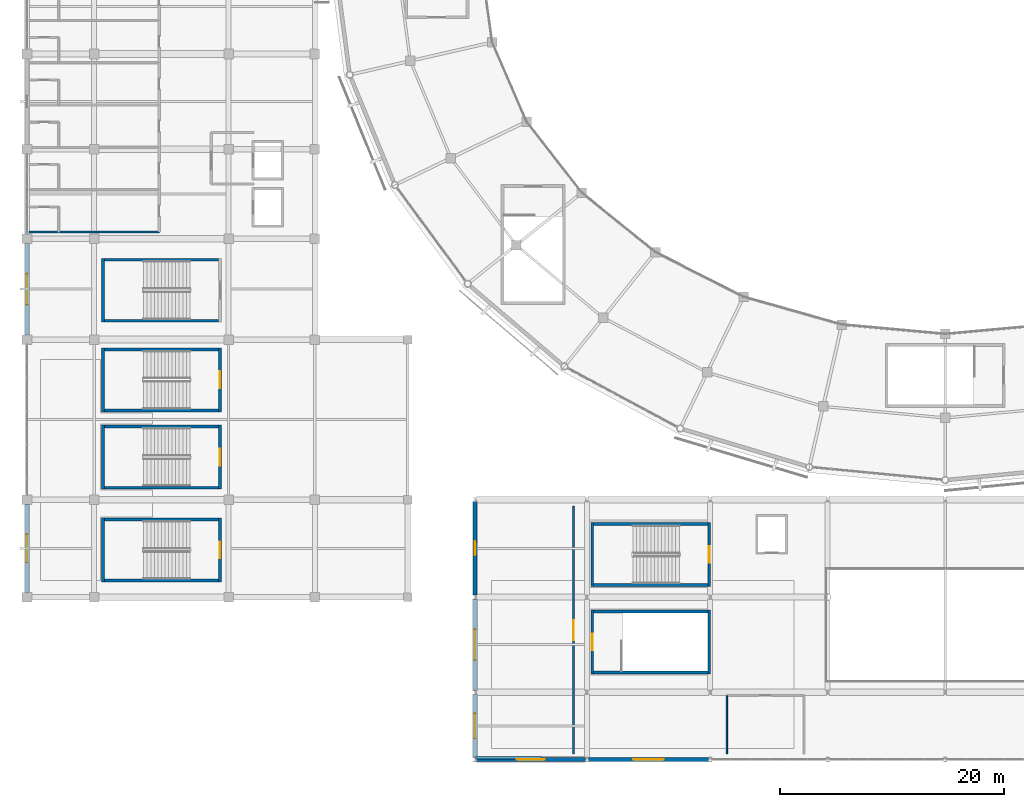
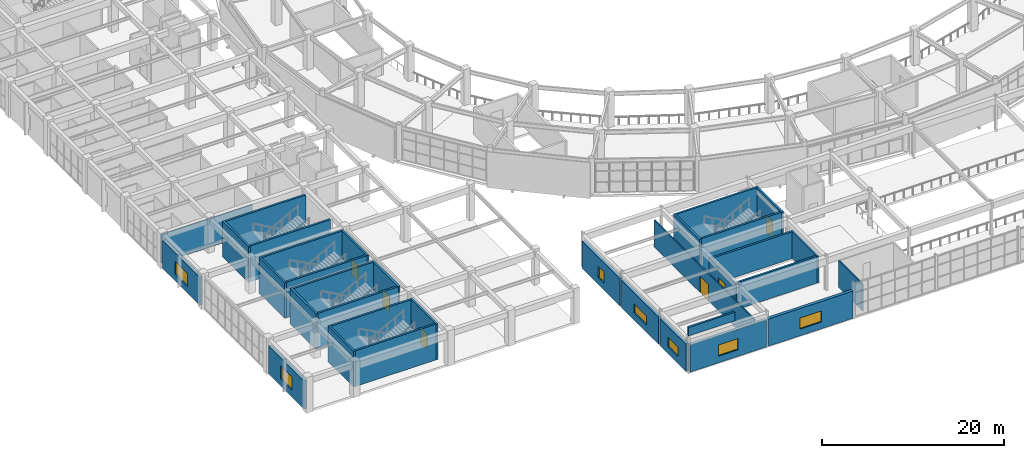
# One storey, part 79 of 112: 34 walls, 7 windows, 6 doors, 13 openings.
"""IFC4 building model written with IfcOpenShell, lengths in metres."""

import ifcopenshell
import ifcopenshell.guid

model = None  # the IFC model being written
_history = None  # IfcOwnerHistory: only IFC2X3 demands one
_inside = {}  # id of a spatial element -> (the spatial element, [elements in it])
_under = {}  # id of a project, library or spatial element -> (it, [spatial elements below it])
_declared = {}  # id of a project -> (the project, [libraries it declares])
_typed = {}  # id of a type object -> (the type object, [elements of that type])
_made_of = {}  # id of a material, layer set ... -> (it, [elements and type objects made of it])


def new_model(schema):
    """Start an empty IFC model of exactly this schema.

    Asked for "IFC4X3", IfcOpenShell would pick the latest addendum, in which some entities
    have other attributes; the version numbers below select the first issue.
    IFC2X3 requires an IfcOwnerHistory on every rooted entity: one is made here for all.
    """
    global model, _history
    if schema == "IFC4X3":
        model = ifcopenshell.file(schema_version=(4, 3, 0, 0))
    else:
        model = ifcopenshell.file(schema=schema)
    _inside.clear()
    _under.clear()
    _declared.clear()
    _typed.clear()
    _made_of.clear()
    _history = None
    if model.schema == "IFC2X3":
        org = make("IfcOrganization", Name="unknown")
        user = make(
            "IfcPersonAndOrganization",
            ThePerson=make("IfcPerson", FamilyName="unknown"),
            TheOrganization=org,
        )
        app = make(
            "IfcApplication",
            ApplicationDeveloper=org,
            Version="unknown",
            ApplicationFullName="unknown",
            ApplicationIdentifier="unknown",
        )
        _history = make(
            "IfcOwnerHistory",
            OwningUser=user,
            OwningApplication=app,
            ChangeAction="ADDED",
            CreationDate=0,
        )
    return model


def make(cls, **values):
    """One entity of the class cls with the attributes given. An attribute that is None is left unset."""
    return model.create_entity(
        cls, **{name: value for name, value in values.items() if value is not None}
    )


def rooted(cls, **values):
    """An entity with a GlobalId (a new one), such as an element, a storey or a relation."""
    return make(cls, GlobalId=ifcopenshell.guid.new(), OwnerHistory=_history, **values)


def si_unit(unit_type, name, prefix=None):
    """IfcSIUnit, for example si_unit("LENGTHUNIT", "METRE", prefix="MILLI")."""
    return make("IfcSIUnit", UnitType=unit_type, Prefix=prefix, Name=name)


def assignment(units):
    """IfcUnitAssignment: the units of a project."""
    return None if units is None else make("IfcUnitAssignment", Units=units)


def point(xyz):
    """IfcCartesianPoint."""
    return None if xyz is None else make("IfcCartesianPoint", Coordinates=xyz)


def direction(xyz):
    """IfcDirection."""
    return None if xyz is None else make("IfcDirection", DirectionRatios=xyz)


def frame(location, z_axis=None, x_axis=None):
    """IfcAxis2Placement3D, a coordinate frame: its origin and axes. An axis left out is left unset."""
    return make(
        "IfcAxis2Placement3D",
        Location=point(location),
        Axis=direction(z_axis),
        RefDirection=direction(x_axis),
    )


def frame_2d(location, x_axis=None):
    """IfcAxis2Placement2D, a coordinate frame in the plane: its origin and x axis."""
    return make(
        "IfcAxis2Placement2D", Location=point(location), RefDirection=direction(x_axis)
    )


def origin():
    """The frame at (0, 0, 0) with its axes left unset."""
    return frame((0.0, 0.0, 0.0))


def place(relative_to, where):
    """IfcLocalPlacement: puts the frame where relative to a parent placement (None: the world)."""
    return make(
        "IfcLocalPlacement", PlacementRelTo=relative_to, RelativePlacement=where
    )


def context(
    kind, dimensions, precision=None, world=None, true_north=None, identifier=None
):
    """IfcGeometricRepresentationContext, for example the 3D "Model" context."""
    return make(
        "IfcGeometricRepresentationContext",
        ContextIdentifier=identifier,
        ContextType=kind,
        CoordinateSpaceDimension=dimensions,
        Precision=precision,
        WorldCoordinateSystem=world,
        TrueNorth=true_north,
    )


def subcontext(parent, identifier, kind, view, scale=None):
    """IfcGeometricRepresentationSubContext, for example "Body" below "Model"."""
    return make(
        "IfcGeometricRepresentationSubContext",
        ContextIdentifier=identifier,
        ContextType=kind,
        ParentContext=parent,
        TargetScale=scale,
        TargetView=view,
    )


def project(units=None, contexts=None):
    """IfcProject with its units and contexts."""
    return rooted(
        "IfcProject",
        Name="project",
        RepresentationContexts=contexts,
        UnitsInContext=assignment(units),
    )


def spatial(cls, under=None, at=None, **own):
    """A site, building, storey or space (cls), placed at a placement, below another one or the project."""
    s = rooted(cls, ObjectPlacement=at, **own)
    if under is not None:
        _under.setdefault(under.id(), (under, []))[1].append(s)
    return s


def profile(cls, at=None, kind="AREA", **sizes):
    """A parametric profile (cls). Its sizes go by their IFC names, for example OverallWidth=200.0."""
    return make(cls, ProfileType=kind, Position=at, **sizes)


def rectangle(**sizes):
    """IfcRectangleProfileDef."""
    return profile("IfcRectangleProfileDef", **sizes)


def extrude(swept, where, along, depth):
    """IfcExtrudedAreaSolid: the profile swept, set in the frame where, extruded along a direction by depth."""
    return make(
        "IfcExtrudedAreaSolid",
        SweptArea=swept,
        Position=where,
        ExtrudedDirection=direction(along),
        Depth=depth,
    )


def shape(context_of_items, identifier, shape_type, items):
    """IfcShapeRepresentation: the items that make up one representation, for example the "Body"."""
    return make(
        "IfcShapeRepresentation",
        ContextOfItems=context_of_items,
        RepresentationIdentifier=identifier,
        RepresentationType=shape_type,
        Items=items,
    )


def material(Name=None, Category=None):
    """IfcMaterial."""
    return make("IfcMaterial", Name=Name, Category=Category)


def layer(
    of_material, thickness, ventilated=None, Name=None, Category=None, Priority=None
):
    """IfcMaterialLayer: one layer of a wall or slab, of a material (None: an air gap)."""
    return make(
        "IfcMaterialLayer",
        Material=of_material,
        LayerThickness=thickness,
        IsVentilated=ventilated,
        Name=Name,
        Category=Category,
        Priority=Priority,
    )


def layer_set(layers, Name=None):
    """IfcMaterialLayerSet."""
    return make("IfcMaterialLayerSet", MaterialLayers=layers, LayerSetName=Name)


def made_of(thing, what):
    """Note that an element or type object is made of a material, layer set ...; save() writes the relation."""
    if what is not None:
        _made_of.setdefault(what.id(), (what, []))[1].append(thing)
    return thing


def type_object(cls, material=None, **own):
    """A type object (cls), such as IfcWallType, which elements share."""
    return made_of(rooted(cls, **own), material)


def element(
    cls,
    number,
    at=None,
    inside=None,
    cuts=None,
    type_object=None,
    material=None,
    context=None,
    identifier="Body",
    shape_type=None,
    held_by="IfcProductDefinitionShape",
    body=None,
    shapes=None,
    **own,
):
    """One element of the class cls, such as IfcWall. Its Tag is "e" and its number.

    at: its placement. inside: the storey or other place that contains it. cuts: it is an
    opening in that element (IfcRelVoidsElement). A single representation is given by context,
    identifier, shape_type and body (its items); several are given by shapes. held_by: the class
    of the entity that holds the representations. save() writes the other relations.
    """
    e = rooted(cls, Tag="e%d" % number, ObjectPlacement=at, **own)
    if body is not None:
        shapes = [shape(context, identifier, shape_type, body)]
    if shapes is not None:
        e.Representation = make(held_by, Representations=shapes)
    if inside is not None:
        _inside.setdefault(inside.id(), (inside, []))[1].append(e)
    if cuts is not None:
        rooted(
            "IfcRelVoidsElement", RelatingBuildingElement=cuts, RelatedOpeningElement=e
        )
    if type_object is not None:
        _typed.setdefault(type_object.id(), (type_object, []))[1].append(e)
    return made_of(e, material)


def fill(opening, filler):
    """IfcRelFillsElement: the door or window that sits in an opening."""
    return rooted(
        "IfcRelFillsElement",
        RelatingOpeningElement=opening,
        RelatedBuildingElement=filler,
    )


def aggregate(whole, parts):
    """IfcRelAggregates: a whole, such as a stair, and the parts it consists of."""
    return rooted("IfcRelAggregates", RelatingObject=whole, RelatedObjects=parts)


def save(model, path):
    """Write the relations noted so far, then the file.

    IfcRelAggregates (storeys below a building ...), IfcRelContainedInSpatialStructure (elements
    in a storey), IfcRelDefinesByType, IfcRelAssociatesMaterial and IfcRelDeclares: one each for
    every whole, place, type object, material and project.
    """
    for whole, parts in _under.values():
        aggregate(whole, parts)
    for where, things in _inside.values():
        rooted(
            "IfcRelContainedInSpatialStructure",
            RelatedElements=things,
            RelatingStructure=where,
        )
    for kind, things in _typed.values():
        rooted("IfcRelDefinesByType", RelatedObjects=things, RelatingType=kind)
    for what, things in _made_of.values():
        rooted("IfcRelAssociatesMaterial", RelatedObjects=things, RelatingMaterial=what)
    for by, libraries in _declared.values():
        rooted("IfcRelDeclares", RelatingContext=by, RelatedDefinitions=libraries)
    model.write(path)


model = new_model("IFC4")

# Units and contexts
model_context = context("Model", 3, precision=1e-05, world=origin(), true_north=direction((0.0, 1.0)))
body_context = subcontext(model_context, "Body", "Model", "MODEL_VIEW")
ifc_project = project(units=[si_unit("LENGTHUNIT", "METRE"), si_unit("AREAUNIT", "SQUARE_METRE"), si_unit("VOLUMEUNIT", "CUBIC_METRE"), si_unit("PLANEANGLEUNIT", "RADIAN"), si_unit("MASSUNIT", "GRAM", prefix="KILO")], contexts=[model_context])

# Site, building, storey
site_placement = place(None, origin())
site = spatial("IfcSite", under=ifc_project, at=site_placement, CompositionType="ELEMENT")
building_placement = place(site_placement, origin())
building = spatial("IfcBuilding", under=site, at=building_placement, Name="Cuetzalor Civic Arena", CompositionType="ELEMENT")
storey_placement = place(building_placement, frame((0.0, 0.0, 11.39990234375)))
storey = spatial("IfcBuildingStorey", under=building, at=storey_placement, Name="L02", CompositionType="ELEMENT", Elevation=11.39990234375)

# Wall, opening, door
ifc_material_1 = material(Name="Acoustic steel-stud gypsum partition", Category="steel")
ifc_layer_1 = layer(ifc_material_1, 0.14990234375)
ifc_layer_set_1 = layer_set([ifc_layer_1], Name="Acoustic steel-stud gypsum partition")
wall_type_1 = type_object("IfcWallType", Name="AcousticGypsumPartition_150", PredefinedType="PARTITIONING", material=ifc_layer_set_1)
wall_1_placement = place(storey_placement, frame((-33.199951171875, -48.89990234375, 0.0), z_axis=(0.0, 0.0, 1.0), x_axis=(0.0, -1.0, 0.0)))
wall_1 = element("IfcWall", 1, at=wall_1_placement, inside=storey, type_object=wall_type_1, Name="Interior Partition IWALL:L02:0260", PredefinedType="PARTITIONING", context=body_context, shape_type="SweptSolid", body=[
    extrude(rectangle(XDim=22.10009765625, YDim=0.14990234375, at=frame_2d((11.050048828125, 0.0))), origin(), (0.0, 0.0, 1.0), 3.64501953125),
])
opening_1_placement = place(wall_1_placement, frame((10.14990234375, 0.0, 0.0)))
opening_1 = element("IfcOpeningElement", 2, at=opening_1_placement, cuts=wall_1, Name="Opening ID-06", PredefinedType="OPENING", context=body_context, shape_type="SweptSolid", body=[
    extrude(rectangle(XDim=1.800048828125, YDim=2.199951171875, at=frame_2d((0.89990234375, 1.10009765625))), frame((0.0, 0.0849609375, 0.0), z_axis=(0.0, -1.0, 0.0), x_axis=(1.0, 0.0, 0.0)), (0.0, 0.0, 1.0), 0.169921875),
])
ifc_material_2 = material(Name="Glazed bronze acoustic double door", Category="metal")
door_type_1 = type_object("IfcDoorType", Name="PublicDoubleDoor_1800x2200", OperationType="DOUBLE_DOOR_SINGLE_SWING", PredefinedType="DOOR", material=ifc_material_2)
door_1_placement = place(opening_1_placement, origin())
door_1 = element("IfcDoor", 3, at=door_1_placement, inside=storey, type_object=door_type_1, Name="Door to Sponsors Dining Hall West", OperationType="DOUBLE_DOOR_SINGLE_SWING", OverallHeight=2.199951171875, OverallWidth=1.800048828125, PredefinedType="DOOR", context=body_context, shape_type="SweptSolid", body=[
    extrude(rectangle(XDim=1.800048828125, YDim=2.199951171875, at=frame_2d((0.89990234375, 1.10009765625))), frame((0.0, 0.02490234375, 0.0), z_axis=(0.0, -1.0, 0.0), x_axis=(1.0, 0.0, 0.0)), (0.0, 0.0, 1.0), 0.050048828125),
])
fill(opening_1, door_1)

# Walls
wall_2_placement = place(storey_placement, frame((-19.5, -71.0, 0.0), z_axis=(0.0, 0.0, 1.0), x_axis=(0.0, 1.0, 0.0)))
element("IfcWall", 4, at=wall_2_placement, inside=storey, type_object=wall_type_1, Name="Interior Partition IWALL:L02:0264", PredefinedType="PARTITIONING", context=body_context, shape_type="SweptSolid", body=[
    extrude(rectangle(XDim=5.199951171875, YDim=0.14990234375, at=frame_2d((2.60009765625, 0.0))), origin(), (0.0, 0.0, 1.0), 3.64501953125),
])
wall_3_placement = place(storey_placement, frame((-81.820068359375, -24.39990234375, 0.0), z_axis=(0.0, 0.0, 1.0), x_axis=(1.0, 0.0, 0.0)))
element("IfcWall", 5, at=wall_3_placement, inside=storey, type_object=wall_type_1, Name="Interior Partition IWALL:L02:0268", PredefinedType="PARTITIONING", context=body_context, shape_type="SweptSolid", body=[
    extrude(rectangle(XDim=11.6201171875, YDim=0.14990234375, at=frame_2d((5.81005859375, 0.0))), origin(), (0.0, 0.0, 1.0), 3.84521484375),
])
ifc_material_3 = material(Name="Puebla cantera gris stone parapet Concrete C35/45", Category="masonry")
ifc_layer_2 = layer(ifc_material_3, 0.239990234375)
ifc_layer_set_2 = layer_set([ifc_layer_2], Name="Puebla cantera gris stone parapet Concrete C35/45")
wall_type_2 = type_object("IfcWallType", Name="CanteraRoofParapet_240", PredefinedType="PARAPET", material=ifc_layer_set_2)
wall_4_placement = place(storey_placement, frame((-41.949951171875, -71.35009765625, 4.75), z_axis=(0.0, 0.0, 1.0), x_axis=(1.0, 0.0, 0.0)))
element("IfcWall", 6, at=wall_4_placement, inside=storey, type_object=wall_type_2, Name="Roof Parapet 07 L02-255", PredefinedType="PARAPET", context=body_context, shape_type="SweptSolid", body=[
    extrude(rectangle(XDim=5.89990234375, YDim=0.239990234375, at=frame_2d((2.949951171875, 0.0))), origin(), (0.0, 0.0, 1.0), 1.150146484375),
])

# Wall, opening, door
ifc_material_4 = material(Name="Concrete C40/50", Category="concrete")
ifc_layer_3 = layer(ifc_material_4, 0.25)
ifc_layer_set_3 = layer_set([ifc_layer_3], Name="Concrete C40/50")
wall_type_3 = type_object("IfcWallType", Name="ConcreteCoreShearWall_250", PredefinedType="SHEAR", material=ifc_layer_set_3)
wall_5_placement = place(storey_placement, frame((-31.52490234375, -63.85009765625, 0.0), z_axis=(0.0, 0.0, 1.0), x_axis=(0.0, 1.0, 0.0)))
wall_5 = element("IfcWall", 7, at=wall_5_placement, inside=storey, type_object=wall_type_3, Name="Stair Core Shear Wall ST-09-L02-W", PredefinedType="SHEAR", context=body_context, shape_type="SweptSolid", body=[
    extrude(rectangle(XDim=5.7001953125, YDim=0.25, at=frame_2d((2.85009765625, 0.0))), origin(), (0.0, 0.0, 1.0), 3.60009765625),
])
opening_2_placement = place(wall_5_placement, frame((2.10009765625, 0.0, 0.0)))
opening_2 = element("IfcOpeningElement", 8, at=opening_2_placement, cuts=wall_5, Name="Opening FD-03", PredefinedType="OPENING", context=body_context, shape_type="SweptSolid", body=[
    extrude(rectangle(XDim=1.5, YDim=2.199951171875, at=frame_2d((0.75, 1.10009765625))), frame((0.0, 0.135009765625, 0.0), z_axis=(0.0, -1.0, 0.0), x_axis=(1.0, 0.0, 0.0)), (0.0, 0.0, 1.0), 0.27001953125),
])
ifc_material_5 = material(Name="Fire-rated steel stair exit double door", Category="steel")
door_type_2 = type_object("IfcDoorType", Name="StairFireDoubleDoor_1500x2200", OperationType="DOUBLE_DOOR_SINGLE_SWING", PredefinedType="DOOR", material=ifc_material_5)
door_2_placement = place(opening_2_placement, origin())
door_2 = element("IfcDoor", 9, at=door_2_placement, inside=storey, type_object=door_type_2, Name="Fire Stair Door ST-09 L02", OperationType="DOUBLE_DOOR_SINGLE_SWING", OverallHeight=2.199951171875, OverallWidth=1.5, PredefinedType="DOOR", context=body_context, shape_type="SweptSolid", body=[
    extrude(rectangle(XDim=1.5, YDim=2.199951171875, at=frame_2d((0.75, 1.10009765625))), frame((0.0, 0.02490234375, 0.0), z_axis=(0.0, -1.0, 0.0), x_axis=(1.0, 0.0, 0.0)), (0.0, 0.0, 1.0), 0.050048828125),
])
fill(opening_2, door_2)

# Walls
wall_6_placement = place(storey_placement, frame((-31.39990234375, -58.27490234375, 0.0), z_axis=(0.0, 0.0, 1.0), x_axis=(1.0, 0.0, 0.0)))
element("IfcWall", 10, at=wall_6_placement, inside=storey, type_object=wall_type_3, Name="Stair Core Shear Wall ST-09-L02-N", PredefinedType="SHEAR", context=body_context, shape_type="SweptSolid", body=[
    extrude(rectangle(XDim=10.199951171875, YDim=0.25, at=frame_2d((5.10009765625, 0.0))), origin(), (0.0, 0.0, 1.0), 3.60009765625),
])
wall_7_placement = place(storey_placement, frame((-21.074951171875, -58.14990234375, 0.0), z_axis=(0.0, 0.0, 1.0), x_axis=(0.0, -1.0, 0.0)))
element("IfcWall", 11, at=wall_7_placement, inside=storey, type_object=wall_type_3, Name="Stair Core Shear Wall ST-09-L02-E", PredefinedType="SHEAR", context=body_context, shape_type="SweptSolid", body=[
    extrude(rectangle(XDim=5.7001953125, YDim=0.25, at=frame_2d((2.85009765625, 0.0))), origin(), (0.0, 0.0, 1.0), 3.60009765625),
])
wall_8_placement = place(storey_placement, frame((-21.199951171875, -63.72509765625, 0.0), z_axis=(0.0, 0.0, 1.0), x_axis=(-1.0, 0.0, 0.0)))
element("IfcWall", 12, at=wall_8_placement, inside=storey, type_object=wall_type_3, Name="Stair Core Shear Wall ST-09-L02-S", PredefinedType="SHEAR", context=body_context, shape_type="SweptSolid", body=[
    extrude(rectangle(XDim=10.199951171875, YDim=0.25, at=frame_2d((5.10009765625, 0.0))), origin(), (0.0, 0.0, 1.0), 3.60009765625),
])
wall_9_placement = place(storey_placement, frame((-31.52490234375, -56.050048828125, 0.0), z_axis=(0.0, 0.0, 1.0), x_axis=(0.0, 1.0, 0.0)))
element("IfcWall", 13, at=wall_9_placement, inside=storey, type_object=wall_type_3, Name="Stair Core Shear Wall ST-10-L02-W", PredefinedType="SHEAR", context=body_context, shape_type="SweptSolid", body=[
    extrude(rectangle(XDim=5.699951171875, YDim=0.25, at=frame_2d((2.85009765625, 0.0))), origin(), (0.0, 0.0, 1.0), 4.800048828125),
])
wall_10_placement = place(storey_placement, frame((-31.39990234375, -50.47509765625, 0.0), z_axis=(0.0, 0.0, 1.0), x_axis=(1.0, 0.0, 0.0)))
element("IfcWall", 14, at=wall_10_placement, inside=storey, type_object=wall_type_3, Name="Stair Core Shear Wall ST-10-L02-N", PredefinedType="SHEAR", context=body_context, shape_type="SweptSolid", body=[
    extrude(rectangle(XDim=10.199951171875, YDim=0.25, at=frame_2d((5.10009765625, 0.0))), origin(), (0.0, 0.0, 1.0), 4.800048828125),
])

# Wall, opening, door
wall_11_placement = place(storey_placement, frame((-21.074951171875, -50.35009765625, 0.0), z_axis=(0.0, 0.0, 1.0), x_axis=(0.0, -1.0, 0.0)))
wall_11 = element("IfcWall", 15, at=wall_11_placement, inside=storey, type_object=wall_type_3, Name="Stair Core Shear Wall ST-10-L02-E", PredefinedType="SHEAR", context=body_context, shape_type="SweptSolid", body=[
    extrude(rectangle(XDim=5.699951171875, YDim=0.25, at=frame_2d((2.85009765625, 0.0))), origin(), (0.0, 0.0, 1.0), 4.800048828125),
])
opening_3_placement = place(wall_11_placement, frame((2.10009765625, 0.0, 0.0)))
opening_3 = element("IfcOpeningElement", 16, at=opening_3_placement, cuts=wall_11, Name="Opening FD-03", PredefinedType="OPENING", context=body_context, shape_type="SweptSolid", body=[
    extrude(rectangle(XDim=1.5, YDim=2.199951171875, at=frame_2d((0.75, 1.10009765625))), frame((0.0, 0.135009765625, 0.0), z_axis=(0.0, -1.0, 0.0), x_axis=(1.0, 0.0, 0.0)), (0.0, 0.0, 1.0), 0.27001953125),
])
door_3_placement = place(opening_3_placement, origin())
door_3 = element("IfcDoor", 17, at=door_3_placement, inside=storey, type_object=door_type_2, Name="Fire Stair Door ST-10 L02", OperationType="DOUBLE_DOOR_SINGLE_SWING", OverallHeight=2.199951171875, OverallWidth=1.5, PredefinedType="DOOR", context=body_context, shape_type="SweptSolid", body=[
    extrude(rectangle(XDim=1.5, YDim=2.199951171875, at=frame_2d((0.75, 1.10009765625))), frame((0.0, 0.02490234375, 0.0), z_axis=(0.0, -1.0, 0.0), x_axis=(1.0, 0.0, 0.0)), (0.0, 0.0, 1.0), 0.050048828125),
])
fill(opening_3, door_3)

# Walls
wall_12_placement = place(storey_placement, frame((-21.199951171875, -55.925048828125, 0.0), z_axis=(0.0, 0.0, 1.0), x_axis=(-1.0, 0.0, 0.0)))
element("IfcWall", 18, at=wall_12_placement, inside=storey, type_object=wall_type_3, Name="Stair Core Shear Wall ST-10-L02-S", PredefinedType="SHEAR", context=body_context, shape_type="SweptSolid", body=[
    extrude(rectangle(XDim=10.199951171875, YDim=0.25, at=frame_2d((5.10009765625, 0.0))), origin(), (0.0, 0.0, 1.0), 4.800048828125),
])
wall_13_placement = place(storey_placement, frame((-75.22509765625, -55.64990234375, 0.0), z_axis=(0.0, 0.0, 1.0), x_axis=(0.0, 1.0, 0.0)))
element("IfcWall", 19, at=wall_13_placement, inside=storey, type_object=wall_type_3, Name="Stair Core Shear Wall ST-13-L02-W", PredefinedType="SHEAR", context=body_context, shape_type="SweptSolid", body=[
    extrude(rectangle(XDim=5.699951171875, YDim=0.25, at=frame_2d((2.85009765625, 0.0))), origin(), (0.0, 0.0, 1.0), 4.800048828125),
])
wall_14_placement = place(storey_placement, frame((-75.10009765625, -50.074951171875, 0.0), z_axis=(0.0, 0.0, 1.0), x_axis=(1.0, 0.0, 0.0)))
element("IfcWall", 20, at=wall_14_placement, inside=storey, type_object=wall_type_3, Name="Stair Core Shear Wall ST-13-L02-N", PredefinedType="SHEAR", context=body_context, shape_type="SweptSolid", body=[
    extrude(rectangle(XDim=10.2001953125, YDim=0.25, at=frame_2d((5.10009765625, 0.0))), origin(), (0.0, 0.0, 1.0), 4.800048828125),
])

# Wall, opening, door
wall_15_placement = place(storey_placement, frame((-64.77490234375, -49.949951171875, 0.0), z_axis=(0.0, 0.0, 1.0), x_axis=(0.0, -1.0, 0.0)))
wall_15 = element("IfcWall", 21, at=wall_15_placement, inside=storey, type_object=wall_type_3, Name="Stair Core Shear Wall ST-13-L02-E", PredefinedType="SHEAR", context=body_context, shape_type="SweptSolid", body=[
    extrude(rectangle(XDim=5.699951171875, YDim=0.25, at=frame_2d((2.85009765625, 0.0))), origin(), (0.0, 0.0, 1.0), 4.800048828125),
])
opening_4_placement = place(wall_15_placement, frame((2.10009765625, 0.0, 0.0)))
opening_4 = element("IfcOpeningElement", 22, at=opening_4_placement, cuts=wall_15, Name="Opening FD-03", PredefinedType="OPENING", context=body_context, shape_type="SweptSolid", body=[
    extrude(rectangle(XDim=1.5, YDim=2.199951171875, at=frame_2d((0.75, 1.10009765625))), frame((0.0, 0.135009765625, 0.0), z_axis=(0.0, -1.0, 0.0), x_axis=(1.0, 0.0, 0.0)), (0.0, 0.0, 1.0), 0.27001953125),
])
door_4_placement = place(opening_4_placement, origin())
door_4 = element("IfcDoor", 23, at=door_4_placement, inside=storey, type_object=door_type_2, Name="Fire Stair Door ST-13 L02", OperationType="DOUBLE_DOOR_SINGLE_SWING", OverallHeight=2.199951171875, OverallWidth=1.5, PredefinedType="DOOR", context=body_context, shape_type="SweptSolid", body=[
    extrude(rectangle(XDim=1.5, YDim=2.199951171875, at=frame_2d((0.75, 1.10009765625))), frame((0.0, 0.02490234375, 0.0), z_axis=(0.0, -1.0, 0.0), x_axis=(1.0, 0.0, 0.0)), (0.0, 0.0, 1.0), 0.050048828125),
])
fill(opening_4, door_4)

# Walls
wall_16_placement = place(storey_placement, frame((-64.89990234375, -55.52490234375, 0.0), z_axis=(0.0, 0.0, 1.0), x_axis=(-1.0, 0.0, 0.0)))
element("IfcWall", 24, at=wall_16_placement, inside=storey, type_object=wall_type_3, Name="Stair Core Shear Wall ST-13-L02-S", PredefinedType="SHEAR", context=body_context, shape_type="SweptSolid", body=[
    extrude(rectangle(XDim=10.2001953125, YDim=0.25, at=frame_2d((5.10009765625, 0.0))), origin(), (0.0, 0.0, 1.0), 4.800048828125),
])
wall_17_placement = place(storey_placement, frame((-75.22509765625, -47.35009765625, 0.0), z_axis=(0.0, 0.0, 1.0), x_axis=(0.0, 1.0, 0.0)))
element("IfcWall", 25, at=wall_17_placement, inside=storey, type_object=wall_type_3, Name="Stair Core Shear Wall ST-14-L02-W", PredefinedType="SHEAR", context=body_context, shape_type="SweptSolid", body=[
    extrude(rectangle(XDim=5.7001953125, YDim=0.25, at=frame_2d((2.85009765625, 0.0))), origin(), (0.0, 0.0, 1.0), 4.800048828125),
])
wall_18_placement = place(storey_placement, frame((-75.10009765625, -41.77490234375, 0.0), z_axis=(0.0, 0.0, 1.0), x_axis=(1.0, 0.0, 0.0)))
element("IfcWall", 26, at=wall_18_placement, inside=storey, type_object=wall_type_3, Name="Stair Core Shear Wall ST-14-L02-N", PredefinedType="SHEAR", context=body_context, shape_type="SweptSolid", body=[
    extrude(rectangle(XDim=10.2001953125, YDim=0.25, at=frame_2d((5.10009765625, 0.0))), origin(), (0.0, 0.0, 1.0), 4.800048828125),
])

# Wall, opening, door
wall_19_placement = place(storey_placement, frame((-64.77490234375, -41.64990234375, 0.0), z_axis=(0.0, 0.0, 1.0), x_axis=(0.0, -1.0, 0.0)))
wall_19 = element("IfcWall", 27, at=wall_19_placement, inside=storey, type_object=wall_type_3, Name="Stair Core Shear Wall ST-14-L02-E", PredefinedType="SHEAR", context=body_context, shape_type="SweptSolid", body=[
    extrude(rectangle(XDim=5.7001953125, YDim=0.25, at=frame_2d((2.85009765625, 0.0))), origin(), (0.0, 0.0, 1.0), 4.800048828125),
])
opening_5_placement = place(wall_19_placement, frame((2.10009765625, 0.0, 0.0)))
opening_5 = element("IfcOpeningElement", 28, at=opening_5_placement, cuts=wall_19, Name="Opening FD-03", PredefinedType="OPENING", context=body_context, shape_type="SweptSolid", body=[
    extrude(rectangle(XDim=1.5, YDim=2.199951171875, at=frame_2d((0.75, 1.10009765625))), frame((0.0, 0.135009765625, 0.0), z_axis=(0.0, -1.0, 0.0), x_axis=(1.0, 0.0, 0.0)), (0.0, 0.0, 1.0), 0.27001953125),
])
door_5_placement = place(opening_5_placement, origin())
door_5 = element("IfcDoor", 29, at=door_5_placement, inside=storey, type_object=door_type_2, Name="Fire Stair Door ST-14 L02", OperationType="DOUBLE_DOOR_SINGLE_SWING", OverallHeight=2.199951171875, OverallWidth=1.5, PredefinedType="DOOR", context=body_context, shape_type="SweptSolid", body=[
    extrude(rectangle(XDim=1.5, YDim=2.199951171875, at=frame_2d((0.75, 1.10009765625))), frame((0.0, 0.02490234375, 0.0), z_axis=(0.0, -1.0, 0.0), x_axis=(1.0, 0.0, 0.0)), (0.0, 0.0, 1.0), 0.050048828125),
])
fill(opening_5, door_5)

# Walls
wall_20_placement = place(storey_placement, frame((-64.89990234375, -47.22509765625, 0.0), z_axis=(0.0, 0.0, 1.0), x_axis=(-1.0, 0.0, 0.0)))
element("IfcWall", 30, at=wall_20_placement, inside=storey, type_object=wall_type_3, Name="Stair Core Shear Wall ST-14-L02-S", PredefinedType="SHEAR", context=body_context, shape_type="SweptSolid", body=[
    extrude(rectangle(XDim=10.2001953125, YDim=0.25, at=frame_2d((5.10009765625, 0.0))), origin(), (0.0, 0.0, 1.0), 4.800048828125),
])
wall_21_placement = place(storey_placement, frame((-75.22509765625, -40.449951171875, 0.0), z_axis=(0.0, 0.0, 1.0), x_axis=(0.0, 1.0, 0.0)))
element("IfcWall", 31, at=wall_21_placement, inside=storey, type_object=wall_type_3, Name="Stair Core Shear Wall ST-15-L02-W", PredefinedType="SHEAR", context=body_context, shape_type="SweptSolid", body=[
    extrude(rectangle(XDim=5.699951171875, YDim=0.25, at=frame_2d((2.85009765625, 0.0))), origin(), (0.0, 0.0, 1.0), 4.800048828125),
])
wall_22_placement = place(storey_placement, frame((-75.10009765625, -34.875, 0.0), z_axis=(0.0, 0.0, 1.0), x_axis=(1.0, 0.0, 0.0)))
element("IfcWall", 32, at=wall_22_placement, inside=storey, type_object=wall_type_3, Name="Stair Core Shear Wall ST-15-L02-N", PredefinedType="SHEAR", context=body_context, shape_type="SweptSolid", body=[
    extrude(rectangle(XDim=10.2001953125, YDim=0.25, at=frame_2d((5.10009765625, 0.0))), origin(), (0.0, 0.0, 1.0), 4.800048828125),
])

# Wall, opening, door
wall_23_placement = place(storey_placement, frame((-64.77490234375, -34.75, 0.0), z_axis=(0.0, 0.0, 1.0), x_axis=(0.0, -1.0, 0.0)))
wall_23 = element("IfcWall", 33, at=wall_23_placement, inside=storey, type_object=wall_type_3, Name="Stair Core Shear Wall ST-15-L02-E", PredefinedType="SHEAR", context=body_context, shape_type="SweptSolid", body=[
    extrude(rectangle(XDim=5.699951171875, YDim=0.25, at=frame_2d((2.85009765625, 0.0))), origin(), (0.0, 0.0, 1.0), 4.800048828125),
])
opening_6_placement = place(wall_23_placement, frame((2.10009765625, 0.0, 0.0)))
opening_6 = element("IfcOpeningElement", 34, at=opening_6_placement, cuts=wall_23, Name="Opening FD-03", PredefinedType="OPENING", context=body_context, shape_type="SweptSolid", body=[
    extrude(rectangle(XDim=1.5, YDim=2.199951171875, at=frame_2d((0.75, 1.10009765625))), frame((0.0, 0.135009765625, 0.0), z_axis=(0.0, -1.0, 0.0), x_axis=(1.0, 0.0, 0.0)), (0.0, 0.0, 1.0), 0.27001953125),
])
door_6_placement = place(opening_6_placement, origin())
door_6 = element("IfcDoor", 35, at=door_6_placement, inside=storey, type_object=door_type_2, Name="Fire Stair Door ST-15 L02", OperationType="DOUBLE_DOOR_SINGLE_SWING", OverallHeight=2.199951171875, OverallWidth=1.5, PredefinedType="DOOR", context=body_context, shape_type="SweptSolid", body=[
    extrude(rectangle(XDim=1.5, YDim=2.199951171875, at=frame_2d((0.75, 1.10009765625))), frame((0.0, 0.02490234375, 0.0), z_axis=(0.0, -1.0, 0.0), x_axis=(1.0, 0.0, 0.0)), (0.0, 0.0, 1.0), 0.050048828125),
])
fill(opening_6, door_6)

# Walls
wall_24_placement = place(storey_placement, frame((-64.89990234375, -40.324951171875, 0.0), z_axis=(0.0, 0.0, 1.0), x_axis=(-1.0, 0.0, 0.0)))
element("IfcWall", 36, at=wall_24_placement, inside=storey, type_object=wall_type_3, Name="Stair Core Shear Wall ST-15-L02-S", PredefinedType="SHEAR", context=body_context, shape_type="SweptSolid", body=[
    extrude(rectangle(XDim=10.2001953125, YDim=0.25, at=frame_2d((5.10009765625, 0.0))), origin(), (0.0, 0.0, 1.0), 4.800048828125),
])
wall_25_placement = place(storey_placement, frame((-75.22509765625, -32.449951171875, 0.0), z_axis=(0.0, 0.0, 1.0), x_axis=(0.0, 1.0, 0.0)))
element("IfcWall", 37, at=wall_25_placement, inside=storey, type_object=wall_type_3, Name="Stair Core Shear Wall ST-16-L02-W", PredefinedType="SHEAR", context=body_context, shape_type="SweptSolid", body=[
    extrude(rectangle(XDim=5.699951171875, YDim=0.25, at=frame_2d((2.85009765625, 0.0))), origin(), (0.0, 0.0, 1.0), 4.800048828125),
])
for number, where, z_axis, x_axis, name in (
    (38, (-75.10009765625, -26.875, 0.0), (0.0, 0.0, 1.0), (1.0, 0.0, 0.0), "Stair Core Shear Wall ST-16-L02-N"),
    (39, (-64.89990234375, -32.324951171875, 0.0), (0.0, 0.0, 1.0), (-1.0, 0.0, 0.0), "Stair Core Shear Wall ST-16-L02-S"),
):
    element("IfcWall", number, at=place(storey_placement, frame(where, z_axis=z_axis, x_axis=x_axis)), inside=storey, type_object=wall_type_3, Name=name, PredefinedType="SHEAR", context=body_context, shape_type="SweptSolid", body=[
        extrude(rectangle(XDim=10.2001953125, YDim=0.25, at=frame_2d((5.10009765625, 0.0))), origin(), (0.0, 0.0, 1.0), 4.800048828125),
    ])

# Wall, opening, window
ifc_material_6 = material(Name="Polychrome Talavera ceramic on Concrete C35/45", Category="concrete")
ifc_layer_4 = layer(ifc_material_6, 0.3798828125)
ifc_layer_set_4 = layer_set([ifc_layer_4], Name="Polychrome Talavera ceramic on Concrete C35/45")
wall_type_4 = type_object("IfcWallType", Name="TalaveraSpandrelWall_380", PredefinedType="SOLIDWALL", material=ifc_layer_set_4)
wall_26_placement = place(storey_placement, frame((-42.0, -71.322509765625, 0.0), z_axis=(0.0, 0.0, 1.0), x_axis=(0.0, 1.0, 0.0)))
wall_26 = element("IfcWall", 40, at=wall_26_placement, inside=storey, type_object=wall_type_4, Name="South Foyer West End Wall L02-105", PredefinedType="SOLIDWALL", context=body_context, shape_type="SweptSolid", body=[
    extrude(rectangle(XDim=5.64501953125, YDim=0.3798828125, at=frame_2d((2.822509765625, 0.0))), origin(), (0.0, 0.0, 1.0), 3.66015625),
])
opening_7_placement = place(wall_26_placement, frame((1.697509765625, 0.0, 0.949951171875)))
opening_7 = element("IfcOpeningElement", 41, at=opening_7_placement, cuts=wall_26, Name="Opening WN-07", PredefinedType="OPENING", context=body_context, shape_type="SweptSolid", body=[
    extrude(rectangle(XDim=2.25, YDim=1.25, at=frame_2d((1.125, 0.625))), frame((0.0, 0.199951171875, 0.0), z_axis=(0.0, -1.0, 0.0), x_axis=(1.0, 0.0, 0.0)), (0.0, 0.0, 1.0), 0.39990234375),
])
ifc_material_7 = material(Name="Anodised bronze aluminium and low-E solar glass", Category="aluminium")
window_type_1 = type_object("IfcWindowType", Name="BronzeThermalWindow_2250x1250", PartitioningType="DOUBLE_PANEL_VERTICAL", PredefinedType="WINDOW", material=ifc_material_7)
window_1_placement = place(opening_7_placement, origin())
window_1 = element("IfcWindow", 42, at=window_1_placement, inside=storey, type_object=window_type_1, Name="Foyer Window L02-0007", OverallHeight=1.25, OverallWidth=2.25, PartitioningType="SINGLE_PANEL", PredefinedType="WINDOW", context=body_context, shape_type="SweptSolid", body=[
    extrude(rectangle(XDim=2.25, YDim=1.25, at=frame_2d((1.125, 0.625))), frame((0.0, 0.030029296875, 0.0), z_axis=(0.0, -1.0, 0.0), x_axis=(1.0, 0.0, 0.0)), (0.0, 0.0, 1.0), 0.06005859375),
])
fill(opening_7, window_1)

wall_27_placement = place(storey_placement, frame((-42.0, -65.322509765625, 0.0), z_axis=(0.0, 0.0, 1.0), x_axis=(0.0, 1.0, 0.0)))
wall_27 = element("IfcWall", 43, at=wall_27_placement, inside=storey, type_object=wall_type_4, Name="South Foyer West End Wall L02-107", PredefinedType="SOLIDWALL", context=body_context, shape_type="SweptSolid", body=[
    extrude(rectangle(XDim=8.14501953125, YDim=0.3798828125, at=frame_2d((4.072509765625, 0.0))), origin(), (0.0, 0.0, 1.0), 3.66015625),
])
opening_8_placement = place(wall_27_placement, frame((2.697509765625, 0.0, 0.949951171875)))
opening_8 = element("IfcOpeningElement", 44, at=opening_8_placement, cuts=wall_27, Name="Opening WN-09", PredefinedType="OPENING", context=body_context, shape_type="SweptSolid", body=[
    extrude(rectangle(XDim=2.75, YDim=1.25, at=frame_2d((1.375, 0.625))), frame((0.0, 0.199951171875, 0.0), z_axis=(0.0, -1.0, 0.0), x_axis=(1.0, 0.0, 0.0)), (0.0, 0.0, 1.0), 0.39990234375),
])
ifc_material_8 = material(Name="Anodised bronze aluminium and low-E solar glass", Category="aluminium")
window_type_2 = type_object("IfcWindowType", Name="BronzeThermalWindow_2750x1250", PartitioningType="DOUBLE_PANEL_VERTICAL", PredefinedType="WINDOW", material=ifc_material_8)
window_2_placement = place(opening_8_placement, origin())
window_2 = element("IfcWindow", 45, at=window_2_placement, inside=storey, type_object=window_type_2, Name="Foyer Window L02-0009", OverallHeight=1.25, OverallWidth=2.75, PartitioningType="SINGLE_PANEL", PredefinedType="WINDOW", context=body_context, shape_type="SweptSolid", body=[
    extrude(rectangle(XDim=2.75, YDim=1.25, at=frame_2d((1.375, 0.625))), frame((0.0, 0.030029296875, 0.0), z_axis=(0.0, -1.0, 0.0), x_axis=(1.0, 0.0, 0.0)), (0.0, 0.0, 1.0), 0.06005859375),
])
fill(opening_8, window_2)

wall_28_placement = place(storey_placement, frame((-42.0, -56.822509765625, 0.0), z_axis=(0.0, 0.0, 1.0), x_axis=(0.0, 1.0, 0.0)))
wall_28 = element("IfcWall", 46, at=wall_28_placement, inside=storey, type_object=wall_type_4, Name="South Foyer West End Wall L02-109", PredefinedType="SOLIDWALL", context=body_context, shape_type="SweptSolid", body=[
    extrude(rectangle(XDim=8.344970703125, YDim=0.3798828125, at=frame_2d((4.17236328125, 0.0))), origin(), (0.0, 0.0, 1.0), 3.66015625),
])
opening_9_placement = place(wall_28_placement, frame((3.547607421875, 0.0, 0.949951171875)))
opening_9 = element("IfcOpeningElement", 47, at=opening_9_placement, cuts=wall_28, Name="Opening WN-11", PredefinedType="OPENING", context=body_context, shape_type="SweptSolid", body=[
    extrude(rectangle(XDim=1.25, YDim=1.5, at=frame_2d((0.625, 0.75))), frame((0.0, 0.199951171875, 0.0), z_axis=(0.0, -1.0, 0.0), x_axis=(1.0, 0.0, 0.0)), (0.0, 0.0, 1.0), 0.39990234375),
])
ifc_material_9 = material(Name="Anodised bronze aluminium and low-E solar glass", Category="aluminium")
window_type_3 = type_object("IfcWindowType", Name="BronzeThermalWindow_1250x1500", PartitioningType="SINGLE_PANEL", PredefinedType="WINDOW", material=ifc_material_9)
window_3_placement = place(opening_9_placement, origin())
window_3 = element("IfcWindow", 48, at=window_3_placement, inside=storey, type_object=window_type_3, Name="Foyer Window L02-0011", OverallHeight=1.5, OverallWidth=1.25, PartitioningType="SINGLE_PANEL", PredefinedType="WINDOW", context=body_context, shape_type="SweptSolid", body=[
    extrude(rectangle(XDim=1.25, YDim=1.5, at=frame_2d((0.625, 0.75))), frame((0.0, 0.030029296875, 0.0), z_axis=(0.0, -1.0, 0.0), x_axis=(1.0, 0.0, 0.0)), (0.0, 0.0, 1.0), 0.06005859375),
])
fill(opening_9, window_3)

wall_29_placement = place(storey_placement, frame((-32.12451171875, -71.5, 0.0), z_axis=(0.0, 0.0, 1.0), x_axis=(-1.0, 0.0, 0.0)))
wall_29 = element("IfcWall", 49, at=wall_29_placement, inside=storey, type_object=wall_type_4, Name="South Talavera Facade Wall L02-115", PredefinedType="SOLIDWALL", context=body_context, shape_type="SweptSolid", body=[
    extrude(rectangle(XDim=9.7509765625, YDim=0.3798828125, at=frame_2d((4.87548828125, 0.0))), origin(), (0.0, 0.0, 1.0), 3.66015625),
])
opening_10_placement = place(wall_29_placement, frame((3.62548828125, 0.0, 0.89990234375)))
opening_10 = element("IfcOpeningElement", 50, at=opening_10_placement, cuts=wall_29, Name="Opening WN-17", PredefinedType="OPENING", context=body_context, shape_type="SweptSolid", body=[
    extrude(rectangle(XDim=2.5, YDim=1.5, at=frame_2d((1.25, 0.75))), frame((0.0, 0.199951171875, 0.0), z_axis=(0.0, -1.0, 0.0), x_axis=(1.0, 0.0, 0.0)), (0.0, 0.0, 1.0), 0.39990234375),
])
ifc_material_10 = material(Name="Anodised bronze aluminium and low-E solar glass", Category="aluminium")
window_type_4 = type_object("IfcWindowType", Name="BronzeThermalWindow_2500x1500", PartitioningType="DOUBLE_PANEL_VERTICAL", PredefinedType="WINDOW", material=ifc_material_10)
window_4_placement = place(opening_10_placement, origin())
window_4 = element("IfcWindow", 51, at=window_4_placement, inside=storey, type_object=window_type_4, Name="Talavera Gallery Window L02-0017", OverallHeight=1.5, OverallWidth=2.5, PartitioningType="SINGLE_PANEL", PredefinedType="WINDOW", context=body_context, shape_type="SweptSolid", body=[
    extrude(rectangle(XDim=2.5, YDim=1.5, at=frame_2d((1.25, 0.75))), frame((0.0, 0.030029296875, 0.0), z_axis=(0.0, -1.0, 0.0), x_axis=(1.0, 0.0, 0.0)), (0.0, 0.0, 1.0), 0.06005859375),
])
fill(opening_10, window_4)

wall_30_placement = place(storey_placement, frame((-21.12451171875, -71.5, 0.0), z_axis=(0.0, 0.0, 1.0), x_axis=(-1.0, 0.0, 0.0)))
wall_30 = element("IfcWall", 52, at=wall_30_placement, inside=storey, type_object=wall_type_4, Name="South Talavera Facade Wall L02-116", PredefinedType="SOLIDWALL", context=body_context, shape_type="SweptSolid", body=[
    extrude(rectangle(XDim=10.7509765625, YDim=0.3798828125, at=frame_2d((5.37548828125, 0.0))), origin(), (0.0, 0.0, 1.0), 3.66015625),
])
opening_11_placement = place(wall_30_placement, frame((4.00048828125, 0.0, 0.89990234375)))
opening_11 = element("IfcOpeningElement", 53, at=opening_11_placement, cuts=wall_30, Name="Opening WN-18", PredefinedType="OPENING", context=body_context, shape_type="SweptSolid", body=[
    extrude(rectangle(XDim=2.75, YDim=1.5, at=frame_2d((1.375, 0.75))), frame((0.0, 0.199951171875, 0.0), z_axis=(0.0, -1.0, 0.0), x_axis=(1.0, 0.0, 0.0)), (0.0, 0.0, 1.0), 0.39990234375),
])
ifc_material_11 = material(Name="Anodised bronze aluminium and low-E solar glass", Category="aluminium")
window_type_5 = type_object("IfcWindowType", Name="BronzeThermalWindow_2750x1500", PartitioningType="DOUBLE_PANEL_VERTICAL", PredefinedType="WINDOW", material=ifc_material_11)
window_5_placement = place(opening_11_placement, origin())
window_5 = element("IfcWindow", 54, at=window_5_placement, inside=storey, type_object=window_type_5, Name="Talavera Gallery Window L02-0018", OverallHeight=1.5, OverallWidth=2.75, PartitioningType="SINGLE_PANEL", PredefinedType="WINDOW", context=body_context, shape_type="SweptSolid", body=[
    extrude(rectangle(XDim=2.75, YDim=1.5, at=frame_2d((1.375, 0.75))), frame((0.0, 0.030029296875, 0.0), z_axis=(0.0, -1.0, 0.0), x_axis=(1.0, 0.0, 0.0)), (0.0, 0.0, 1.0), 0.06005859375),
])
fill(opening_11, window_5)

wall_31_placement = place(storey_placement, frame((-82.0, -56.593017578125, 0.0), z_axis=(0.0, 0.0, 1.0), x_axis=(0.0, 1.0, 0.0)))
wall_31 = element("IfcWall", 55, at=wall_31_placement, inside=storey, type_object=wall_type_4, Name="V4W Outer Talavera Wall L02-131", PredefinedType="SOLIDWALL", context=body_context, shape_type="SweptSolid", body=[
    extrude(rectangle(XDim=7.885986328125, YDim=0.3798828125, at=frame_2d((3.94287109375, 0.0))), origin(), (0.0, 0.0, 1.0), 3.760009765625),
])
opening_12_placement = place(wall_31_placement, frame((2.693115234375, 0.0, 0.89990234375)))
opening_12 = element("IfcOpeningElement", 56, at=opening_12_placement, cuts=wall_31, Name="Opening WN-26", PredefinedType="OPENING", context=body_context, shape_type="SweptSolid", body=[
    extrude(rectangle(XDim=2.5, YDim=1.75, at=frame_2d((1.25, 0.875))), frame((0.0, 0.199951171875, 0.0), z_axis=(0.0, -1.0, 0.0), x_axis=(1.0, 0.0, 0.0)), (0.0, 0.0, 1.0), 0.39990234375),
])
ifc_material_12 = material(Name="Anodised bronze aluminium and low-E solar glass", Category="aluminium")
window_type_6 = type_object("IfcWindowType", Name="BronzeThermalWindow_2500x1750", PartitioningType="DOUBLE_PANEL_VERTICAL", PredefinedType="WINDOW", material=ifc_material_12)
window_6_placement = place(opening_12_placement, origin())
window_6 = element("IfcWindow", 57, at=window_6_placement, inside=storey, type_object=window_type_6, Name="V4W Facade Window L02-0026", OverallHeight=1.75, OverallWidth=2.5, PartitioningType="SINGLE_PANEL", PredefinedType="WINDOW", context=body_context, shape_type="SweptSolid", body=[
    extrude(rectangle(XDim=2.5, YDim=1.75, at=frame_2d((1.25, 0.875))), frame((0.0, 0.030029296875, 0.0), z_axis=(0.0, -1.0, 0.0), x_axis=(1.0, 0.0, 0.0)), (0.0, 0.0, 1.0), 0.06005859375),
])
fill(opening_12, window_6)

wall_32_placement = place(storey_placement, frame((-82.0, -33.593017578125, 0.0), z_axis=(0.0, 0.0, 1.0), x_axis=(0.0, 1.0, 0.0)))
wall_32 = element("IfcWall", 58, at=wall_32_placement, inside=storey, type_object=wall_type_4, Name="V4W Outer Talavera Wall L02-132", PredefinedType="SOLIDWALL", context=body_context, shape_type="SweptSolid", body=[
    extrude(rectangle(XDim=8.18603515625, YDim=0.3798828125, at=frame_2d((4.093017578125, 0.0))), origin(), (0.0, 0.0, 1.0), 3.760009765625),
])
opening_13_placement = place(wall_32_placement, frame((2.718017578125, 0.0, 0.89990234375)))
opening_13 = element("IfcOpeningElement", 59, at=opening_13_placement, cuts=wall_32, Name="Opening WN-27", PredefinedType="OPENING", context=body_context, shape_type="SweptSolid", body=[
    extrude(rectangle(XDim=2.75, YDim=1.75, at=frame_2d((1.375, 0.875))), frame((0.0, 0.199951171875, 0.0), z_axis=(0.0, -1.0, 0.0), x_axis=(1.0, 0.0, 0.0)), (0.0, 0.0, 1.0), 0.39990234375),
])
ifc_material_13 = material(Name="Anodised bronze aluminium and low-E solar glass", Category="aluminium")
window_type_7 = type_object("IfcWindowType", Name="BronzeThermalWindow_2750x1750", PartitioningType="DOUBLE_PANEL_VERTICAL", PredefinedType="WINDOW", material=ifc_material_13)
window_7_placement = place(opening_13_placement, origin())
window_7 = element("IfcWindow", 60, at=window_7_placement, inside=storey, type_object=window_type_7, Name="V4W Facade Window L02-0027", OverallHeight=1.75, OverallWidth=2.75, PartitioningType="SINGLE_PANEL", PredefinedType="WINDOW", context=body_context, shape_type="SweptSolid", body=[
    extrude(rectangle(XDim=2.75, YDim=1.75, at=frame_2d((1.375, 0.875))), frame((0.0, 0.030029296875, 0.0), z_axis=(0.0, -1.0, 0.0), x_axis=(1.0, 0.0, 0.0)), (0.0, 0.0, 1.0), 0.06005859375),
])
fill(opening_13, window_7)

save(model, "model.ifc")
